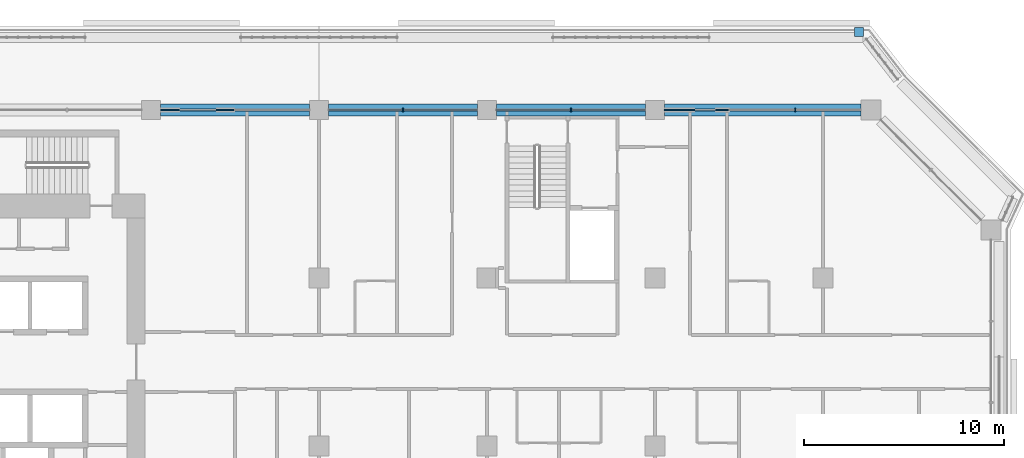
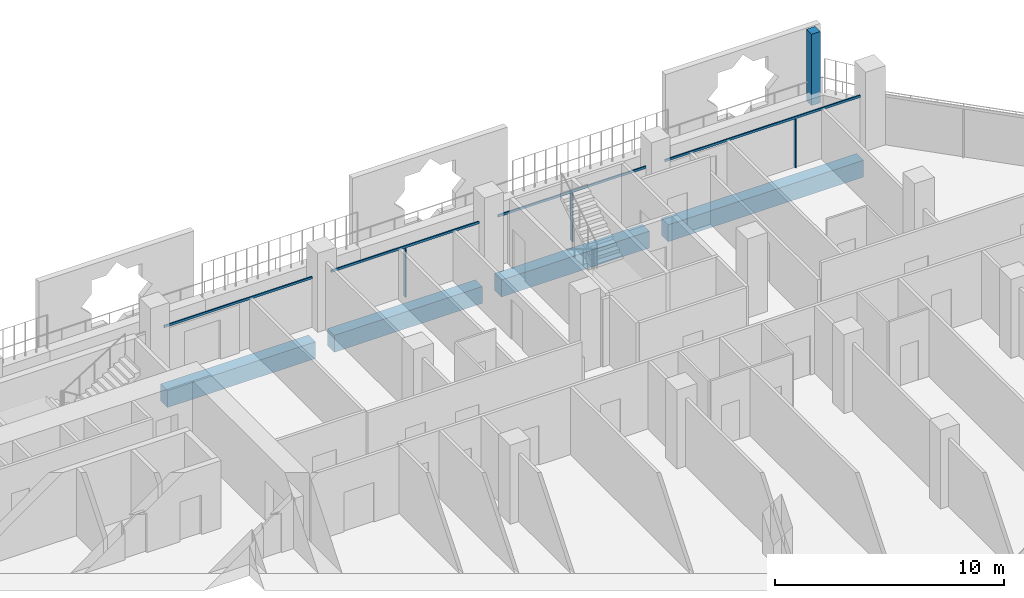
# One storey, part 6 of 23: 8 members, 4 beams, 2 elements without a shape of their own.
"""IFC4 building model written with IfcOpenShell, lengths in metres."""

from ifc_helpers import new_model, si_unit, direction, frame, origin, origin_2d, place, context, subcontext, project, spatial, rectangle, extrude, material, layer, layer_set, material_profile, profile_set, type_object, element, aggregate, save


model = new_model("IFC4")

# Units and contexts
model_context = context("Model", 3, precision=1e-05, world=origin(), true_north=direction((0.0, 1.0)))
body_context = subcontext(model_context, "Body", "Model", "MODEL_VIEW")
ifc_project = project(units=[si_unit("LENGTHUNIT", "METRE"), si_unit("AREAUNIT", "SQUARE_METRE"), si_unit("VOLUMEUNIT", "CUBIC_METRE"), si_unit("PLANEANGLEUNIT", "RADIAN"), si_unit("MASSUNIT", "GRAM", prefix="KILO")], contexts=[model_context])

# Site, building, storey
site_placement = place(None, origin())
site = spatial("IfcSite", under=ifc_project, at=site_placement, CompositionType="ELEMENT")
building_placement = place(site_placement, origin())
building = spatial("IfcBuilding", under=site, at=building_placement, Name="Kawkab Arch Medical Tower", CompositionType="ELEMENT")
storey_placement = place(building_placement, frame((0.0, 0.0, 175.199951171875)))
storey = spatial("IfcBuildingStorey", under=building, at=storey_placement, Name="L40", CompositionType="ELEMENT", Elevation=175.199951171875)

# Curtain wall, members
ifc_material_1 = material(Name="Bronze anodised aluminium curtain wall frame", Category="aluminium")
ifc_layer_1 = layer(ifc_material_1, 0.159912109375)
ifc_layer_set_1 = layer_set([ifc_layer_1], Name="Bronze anodised aluminium curtain wall frame")
curtain_wall_type_1 = type_object("IfcCurtainWallType", Name="CW1 ward curtain wall", PredefinedType="NOTDEFINED", material=ifc_layer_set_1)
placement = place(storey_placement, origin())
curtain_wall_1 = element("IfcCurtainWall", 1, at=placement, inside=storey, type_object=curtain_wall_type_1, Name="CW1 Ward curtain wall R11", PredefinedType="NOTDEFINED")
ifc_material_2 = material(Name="Bronze anodised aluminium curtain wall frame", Category="aluminium")
ifc_material_profile_1 = material_profile(ifc_material_2, rectangle(XDim=0.179931640625, YDim=0.06005859375, at=origin_2d()), Name="AL 60x180")
ifc_profile_set_1 = profile_set([ifc_material_profile_1], Name="Bronze anodised aluminium curtain wall frame")
member_type_1 = type_object("IfcMemberType", Name="CW1 mullion 60 x 180", PredefinedType="MULLION", material=ifc_profile_set_1)
member_1_placement = place(storey_placement, frame((57.425048828125, 0.0, 0.0), z_axis=(0.0, 0.0, 1.0), x_axis=(0.0, -1.0, 0.0)))
member_1 = element("IfcMember", 2, at=member_1_placement, type_object=member_type_1, Name="CW1 mullion 1.1", PredefinedType="MULLION", context=body_context, shape_type="SweptSolid", body=[
    extrude(rectangle(XDim=0.179931640625, YDim=0.06005859375, at=origin_2d()), origin(), (0.0, 0.0, 1.0), 2.580078125),
])
member_2_placement = place(storey_placement, frame((46.199951171875, 0.0, 0.0), z_axis=(0.0, 0.0, 1.0), x_axis=(0.0, -1.0, 0.0)))
member_2 = element("IfcMember", 3, at=member_2_placement, type_object=member_type_1, Name="CW1 mullion 2.1", PredefinedType="MULLION", context=body_context, shape_type="SweptSolid", body=[
    extrude(rectangle(XDim=0.179931640625, YDim=0.06005859375, at=origin_2d()), origin(), (0.0, 0.0, 1.0), 2.580078125),
])
member_3_placement = place(storey_placement, frame((37.800048828125, 0.0, 0.0), z_axis=(0.0, 0.0, 1.0), x_axis=(0.0, -1.0, 0.0)))
member_3 = element("IfcMember", 4, at=member_3_placement, type_object=member_type_1, Name="CW1 mullion 3.1", PredefinedType="MULLION", context=body_context, shape_type="SweptSolid", body=[
    extrude(rectangle(XDim=0.179931640625, YDim=0.06005859375, at=origin_2d()), origin(), (0.0, 0.0, 1.0), 2.580078125),
])
ifc_material_3 = material(Name="Bronze anodised aluminium curtain wall frame", Category="aluminium")
ifc_material_profile_2 = material_profile(ifc_material_3, rectangle(XDim=0.06005859375, YDim=0.1201171875, at=origin_2d()), Name="AL 60x120")
ifc_profile_set_2 = profile_set([ifc_material_profile_2], Name="Bronze anodised aluminium curtain wall frame")
member_type_2 = type_object("IfcMemberType", Name="CW1 transom 120 x 60", PredefinedType="USERDEFINED", material=ifc_profile_set_2)
member_4_placement = place(storey_placement, frame((60.699951171875, 0.0, 2.64013671875), z_axis=(-1.0, 0.0, 0.0), x_axis=(0.0, -1.0, 0.0)))
member_4 = element("IfcMember", 5, at=member_4_placement, type_object=member_type_2, Name="CW1 transom 1", ObjectType="TRANSOM", PredefinedType="USERDEFINED", context=body_context, shape_type="SweptSolid", body=[
    extrude(rectangle(XDim=0.06005859375, YDim=0.1201171875, at=origin_2d()), origin(), (0.0, 0.0, 1.0), 9.824951171875),
])
member_5_placement = place(storey_placement, frame((49.925048828125, 0.0, 2.64013671875), z_axis=(-1.0, 0.0, 0.0), x_axis=(0.0, -1.0, 0.0)))
member_5 = element("IfcMember", 6, at=member_5_placement, type_object=member_type_2, Name="CW1 transom 2", ObjectType="TRANSOM", PredefinedType="USERDEFINED", context=body_context, shape_type="SweptSolid", body=[
    extrude(rectangle(XDim=0.06005859375, YDim=0.1201171875, at=origin_2d()), origin(), (0.0, 0.0, 1.0), 7.449951171875),
])
member_6_placement = place(storey_placement, frame((41.52490234375, 0.0, 2.64013671875), z_axis=(-1.0, 0.0, 0.0), x_axis=(0.0, -1.0, 0.0)))
member_6 = element("IfcMember", 7, at=member_6_placement, type_object=member_type_2, Name="CW1 transom 3", ObjectType="TRANSOM", PredefinedType="USERDEFINED", context=body_context, shape_type="SweptSolid", body=[
    extrude(rectangle(XDim=0.06005859375, YDim=0.1201171875, at=origin_2d()), origin(), (0.0, 0.0, 1.0), 7.449951171875),
])
member_7_placement = place(storey_placement, frame((33.125, 0.0, 2.64013671875), z_axis=(-1.0, 0.0, 0.0), x_axis=(0.0, -1.0, 0.0)))
member_7 = element("IfcMember", 8, at=member_7_placement, type_object=member_type_2, Name="CW1 transom 4", ObjectType="TRANSOM", PredefinedType="USERDEFINED", context=body_context, shape_type="SweptSolid", body=[
    extrude(rectangle(XDim=0.06005859375, YDim=0.1201171875, at=origin_2d()), origin(), (0.0, 0.0, 1.0), 7.449951171875),
])
aggregate(curtain_wall_1, [member_4, member_1, member_5, member_2, member_6, member_3, member_7])

# Curtain wall, member
ifc_material_4 = material(Name="Bronze anodised aluminium climber frame, planted", Category="aluminium")
ifc_layer_2 = layer(ifc_material_4, 0.449951171875)
ifc_layer_set_2 = layer_set([ifc_layer_2], Name="Bronze anodised aluminium climber frame, planted")
curtain_wall_type_2 = type_object("IfcCurtainWallType", Name="Planted climber frame", PredefinedType="NOTDEFINED", material=ifc_layer_set_2)
curtain_wall_2 = element("IfcCurtainWall", 9, at=placement, inside=storey, type_object=curtain_wall_type_2, Name="Planted climber frame L40", PredefinedType="NOTDEFINED")
ifc_material_5 = material(Name="Bronze anodised aluminium climber frame, planted", Category="aluminium")
ifc_material_profile_3 = material_profile(ifc_material_5, rectangle(XDim=0.449951171875, YDim=0.449951171875, at=origin_2d()), Name="Post 450x450")
ifc_profile_set_3 = profile_set([ifc_material_profile_3], Name="Bronze anodised aluminium climber frame, planted")
member_type_3 = type_object("IfcMemberType", Name="Planted climber post 450 x 450", PredefinedType="MULLION", material=ifc_profile_set_3)
member_8_placement = place(storey_placement, frame((60.60302734375, 3.89990234375, 0.0), z_axis=(0.0, 0.0, 1.0), x_axis=(1.0, 0.0, 0.0)))
member_8 = element("IfcMember", 10, at=member_8_placement, type_object=member_type_3, Name="Planted climber post L40.LOG-01-01.2", PredefinedType="MULLION", context=body_context, shape_type="SweptSolid", body=[
    extrude(rectangle(XDim=0.449951171875, YDim=0.449951171875, at=origin_2d()), origin(), (0.0, 0.0, 1.0), 3.800048828125),
])
aggregate(curtain_wall_2, [member_8])

# Beams
ifc_material_6 = material(Name="Concrete C50/60", Category="concrete")
ifc_material_profile_4 = material_profile(ifc_material_6, rectangle(XDim=0.60009765625, YDim=0.89990234375, at=origin_2d()), Name="RC 600x900")
ifc_profile_set_4 = profile_set([ifc_material_profile_4], Name="Concrete C50/60")
beam_type = type_object("IfcBeamType", Name="RC 600x900 beam C50/60", PredefinedType="BEAM", material=ifc_profile_set_4)
for number, where, z_axis, x_axis, name in (
    (11, (25.675048828125, 0.0, -1.050048828125), (1.0, 0.0, 0.0), (0.0, 1.0, 0.0), "Overhang edge beam L40-04"),
    (12, (34.074951171875, 0.0, -1.050048828125), (1.0, 0.0, 0.0), (0.0, 1.0, 0.0), "Overhang edge beam L40-05"),
    (13, (42.47509765625, 0.0, -1.050048828125), (1.0, 0.0, 0.0), (0.0, 1.0, 0.0), "Overhang edge beam L40-06"),
):
    element("IfcBeam", number, at=place(storey_placement, frame(where, z_axis=z_axis, x_axis=x_axis)), inside=storey, type_object=beam_type, Name=name, PredefinedType="BEAM", context=body_context, shape_type="SweptSolid", body=[
        extrude(rectangle(XDim=0.60009765625, YDim=0.89990234375, at=origin_2d()), origin(), (0.0, 0.0, 1.0), 7.449951171875),
    ])
beam_placement = place(storey_placement, frame((50.875, 0.0, -1.050048828125), z_axis=(1.0, 0.0, 0.0), x_axis=(0.0, 1.0, 0.0)))
element("IfcBeam", 14, at=beam_placement, inside=storey, type_object=beam_type, Name="Overhang edge beam L40-07", PredefinedType="BEAM", context=body_context, shape_type="SweptSolid", body=[
    extrude(rectangle(XDim=0.60009765625, YDim=0.89990234375, at=origin_2d()), origin(), (0.0, 0.0, 1.0), 9.824951171875),
])

save(model, "model.ifc")
